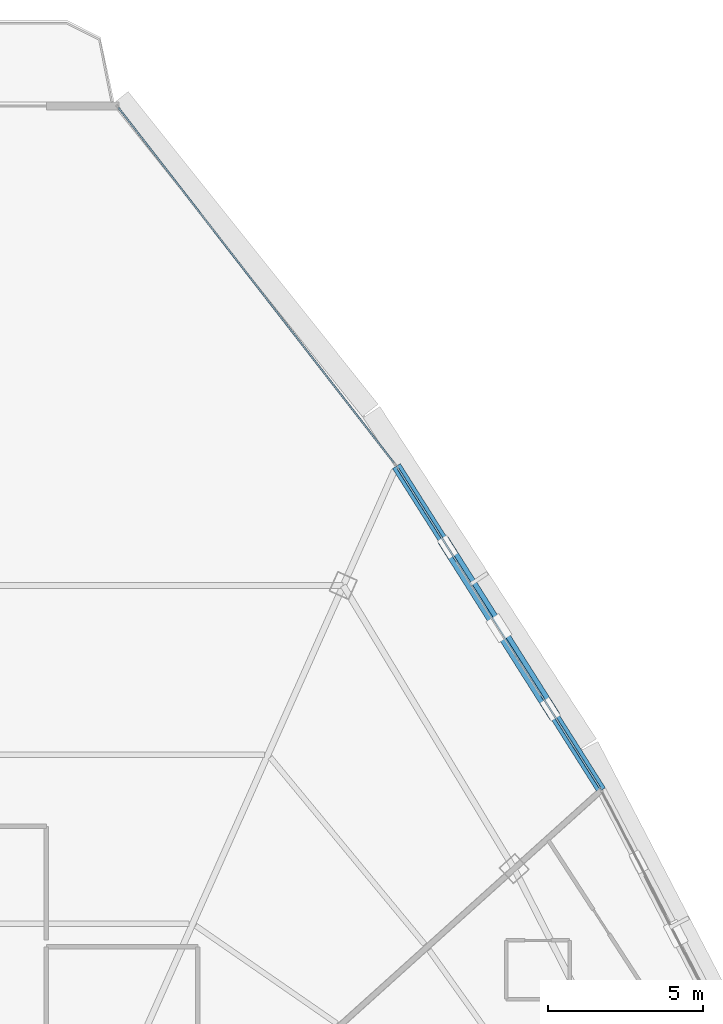
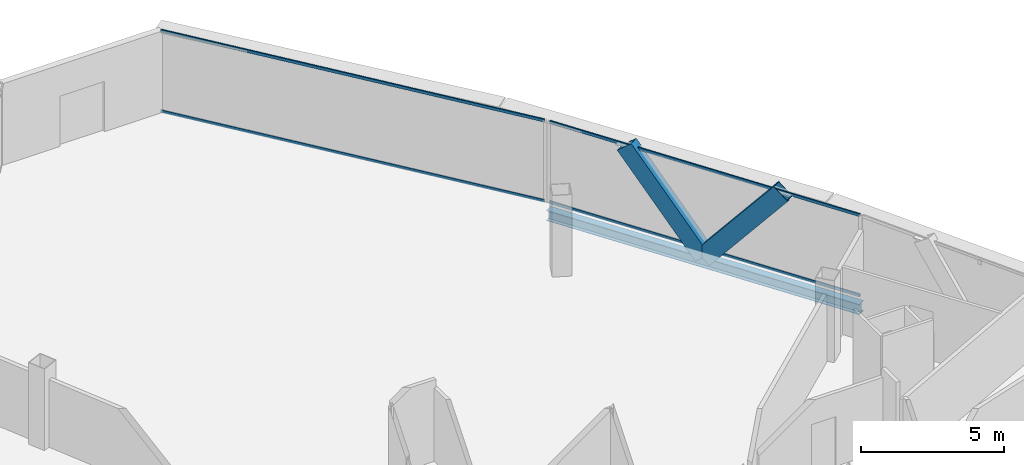
# One storey, part 23 of 33: 6 members, 1 beam, 2 elements without a shape of their own.
"""IFC4 building model written with IfcOpenShell, lengths in metres."""

from ifc_helpers import new_model, si_unit, direction, frame, origin, origin_2d, place, context, subcontext, project, spatial, hollow_rectangle, i_section, extrude, source, transform, mapped, material, layer, layer_set, material_profile, profile_set, type_object, element, aggregate, save


model = new_model("IFC4")

# Units and contexts
model_context = context("Model", 3, precision=1e-05, world=origin(), true_north=direction((0.0, 1.0)))
body_context = subcontext(model_context, "Body", "Model", "MODEL_VIEW")
ifc_project = project(units=[si_unit("LENGTHUNIT", "METRE"), si_unit("AREAUNIT", "SQUARE_METRE"), si_unit("VOLUMEUNIT", "CUBIC_METRE"), si_unit("PLANEANGLEUNIT", "RADIAN"), si_unit("MASSUNIT", "GRAM", prefix="KILO"), si_unit("THERMODYNAMICTEMPERATUREUNIT", "KELVIN"), si_unit("POWERUNIT", "WATT")], contexts=[model_context])

# Site, building, storey
site_placement = place(None, origin())
site = spatial("IfcSite", under=ifc_project, at=site_placement, CompositionType="ELEMENT")
building_placement = place(site_placement, origin())
building = spatial("IfcBuilding", under=site, at=building_placement, Name="Yunzhuo Pagoda Commons", CompositionType="ELEMENT")
storey_placement = place(building_placement, frame((0.0, 0.0, 329.260009765625)))
storey = spatial("IfcBuildingStorey", under=building, at=storey_placement, Name="L82", CompositionType="ELEMENT", Elevation=329.260009765625)

# Beam
ifc_material_1 = material(Name="Structural steel Q355B", Category="steel")
ifc_material_profile_1 = material_profile(ifc_material_1, i_section(OverallWidth=0.300048828125, OverallDepth=0.43994140625, WebThickness=0.010986328125, FlangeThickness=0.01806640625, at=origin_2d()), Name="Structural steel Q355B")
ifc_profile_set_1 = profile_set([ifc_material_profile_1], Name="Structural steel Q355B")
beam_type = type_object("IfcBeamType", Name="B-SP2 Beam HM 440x300x11x18", PredefinedType="BEAM", material=ifc_profile_set_1)
shared_shape_1 = source(origin(), body_context, "Body", "SweptSolid", [
    extrude(i_section(OverallWidth=0.300048828125, OverallDepth=0.43994140625, WebThickness=0.010986328125, FlangeThickness=0.01806640625, at=origin_2d()), origin(), (0.0, 0.0, 1.0), 12.39501953125),
])
beam_placement = place(storey_placement, frame((66.84375, 50.6669921875, -0.47998046875), z_axis=(-0.534530897575, 0.845148933347, 0.0), x_axis=(-0.845148933347, -0.534530897575, 0.0)))
element("IfcBeam", 1, at=beam_placement, inside=storey, type_object=beam_type, Name="L82 facade edge spandrel beam F2.3", PredefinedType="BEAM", context=body_context, shape_type="MappedRepresentation", body=[
    mapped(shared_shape_1, transform((0.0, 0.0, 0.0), scale=1.0)),
])

# Members
ifc_material_profile_2 = material_profile(ifc_material_1, hollow_rectangle(XDim=0.3798828125, YDim=0.719970703125, WallThickness=0.02001953125, at=origin_2d()), Name="Structural steel Q355B")
ifc_profile_set_2 = profile_set([ifc_material_profile_2], Name="Structural steel Q355B")
member_type_1 = type_object("IfcMemberType", Name="M-DL3 Brace BOX 720x380x20", PredefinedType="BRACE", material=ifc_profile_set_2)
shared_shape_2 = source(origin(), body_context, "Body", "SweptSolid", [
    extrude(hollow_rectangle(XDim=0.3798828125, YDim=0.719970703125, WallThickness=0.02001953125, at=origin_2d()), origin(), (0.0, 0.0, 1.0), 4.864501953125),
])
member_1_placement = place(storey_placement, frame((63.531005859375, 55.90478515625, -0.260009765625), z_axis=(0.340470287442, -0.538358604568, 0.77087612251), x_axis=(0.845166729607, 0.534502758801, 0.0)))
element("IfcMember", 2, at=member_1_placement, inside=storey, type_object=member_type_1, Name="L82 facade diamond brace F2.3L", PredefinedType="BRACE", context=body_context, shape_type="MappedRepresentation", body=[
    mapped(shared_shape_2, transform((0.0, 0.0, 0.0), scale=1.0)),
])
shared_shape_3 = source(origin(), body_context, "Body", "SweptSolid", [
    extrude(hollow_rectangle(XDim=0.3798828125, YDim=0.719970703125, WallThickness=0.02001953125, at=origin_2d()), origin(), (0.0, 0.0, 1.0), 4.86474609375),
])
member_2_placement = place(storey_placement, frame((63.531005859375, 55.90478515625, -0.260009765625), z_axis=(-0.340514655846, 0.538349405049, 0.770862949711), x_axis=(-0.845131136899, -0.534559034573, 0.0)))
element("IfcMember", 3, at=member_2_placement, inside=storey, type_object=member_type_1, Name="L82 facade diamond brace F2.3R", PredefinedType="BRACE", context=body_context, shape_type="MappedRepresentation", body=[
    mapped(shared_shape_3, transform((0.0, 0.0, 0.0), scale=1.0)),
])

# Curtain wall, members
ifc_material_2 = material(Name="Anodized aluminium 6063-T6", Category="aluminium")
ifc_layer = layer(ifc_material_2, 0.139892578125)
ifc_layer_set = layer_set([ifc_layer], Name="Anodized aluminium 6063-T6")
curtain_wall_type = type_object("IfcCurtainWallType", Name="CW-HI High-Zone Ribbon Curtain Wall", PredefinedType="NOTDEFINED", material=ifc_layer_set)
curtain_wall_1_placement = place(storey_placement, origin())
curtain_wall_1 = element("IfcCurtainWall", 4, at=curtain_wall_1_placement, inside=storey, type_object=curtain_wall_type, Name="L82 curtain wall CW-L82-F2B4", PredefinedType="NOTDEFINED")
ifc_material_profile_3 = material_profile(ifc_material_2, hollow_rectangle(XDim=0.054931640625, YDim=0.1201171875, WallThickness=0.00341796875, at=origin_2d()), Name="Anodized aluminium 6063-T6")
ifc_profile_set_3 = profile_set([ifc_material_profile_3], Name="Anodized aluminium 6063-T6")
member_type_2 = type_object("IfcMemberType", Name="CW-HI-T Transom RHS 120x55x3.5", PredefinedType="USERDEFINED", material=ifc_profile_set_3)
shared_shape_4 = source(origin(), body_context, "Body", "SweptSolid", [
    extrude(hollow_rectangle(XDim=0.054931640625, YDim=0.1201171875, WallThickness=0.00341796875, at=origin_2d()), origin(), (0.0, 0.0, 1.0), 12.27490234375),
])
member_3_placement = place(storey_placement, frame((66.8115234375, 50.7177734375, 0.027587890625), z_axis=(-0.53453242194, 0.845147969231, 0.0), x_axis=(-0.845147969231, -0.53453242194, 0.0)))
member_3 = element("IfcMember", 5, at=member_3_placement, type_object=member_type_2, Name="CW transom 1.1", ObjectType="TRANSOM", PredefinedType="USERDEFINED", context=body_context, shape_type="MappedRepresentation", body=[
    mapped(shared_shape_4, transform((0.0, 0.0, 0.0), scale=1.0)),
])
member_4_placement = place(storey_placement, frame((66.8115234375, 50.7177734375, 3.46240234375), z_axis=(-0.53453242194, 0.845147969231, 0.0), x_axis=(-0.845147969231, -0.53453242194, 0.0)))
member_4 = element("IfcMember", 6, at=member_4_placement, type_object=member_type_2, Name="CW transom 1.2", ObjectType="TRANSOM", PredefinedType="USERDEFINED", context=body_context, shape_type="MappedRepresentation", body=[
    mapped(shared_shape_4, transform((0.0, 0.0, 0.0), scale=1.0)),
])
aggregate(curtain_wall_1, [member_3, member_4])

curtain_wall_2_placement = place(storey_placement, origin())
curtain_wall_2 = element("IfcCurtainWall", 7, at=curtain_wall_2_placement, inside=storey, type_object=curtain_wall_type, Name="L82 curtain wall CW-L82-F2B5", PredefinedType="NOTDEFINED")
shared_shape_5 = source(origin(), body_context, "Body", "SweptSolid", [
    extrude(hollow_rectangle(XDim=0.054931640625, YDim=0.1201171875, WallThickness=0.00341796875, at=origin_2d()), origin(), (0.0, 0.0, 1.0), 14.537353515625),
])
member_5_placement = place(storey_placement, frame((60.135498046875, 61.249267578125, 0.027587890625), z_axis=(-0.612918112301, 0.790146434285, 0.0), x_axis=(-0.790146434285, -0.612918112301, 0.0)))
member_5 = element("IfcMember", 8, at=member_5_placement, type_object=member_type_2, Name="CW transom 1.1", ObjectType="TRANSOM", PredefinedType="USERDEFINED", context=body_context, shape_type="MappedRepresentation", body=[
    mapped(shared_shape_5, transform((0.0, 0.0, 0.0), scale=1.0)),
])
member_6_placement = place(storey_placement, frame((60.135498046875, 61.249267578125, 3.46240234375), z_axis=(-0.612918112301, 0.790146434285, 0.0), x_axis=(-0.790146434285, -0.612918112301, 0.0)))
member_6 = element("IfcMember", 9, at=member_6_placement, type_object=member_type_2, Name="CW transom 1.2", ObjectType="TRANSOM", PredefinedType="USERDEFINED", context=body_context, shape_type="MappedRepresentation", body=[
    mapped(shared_shape_5, transform((0.0, 0.0, 0.0), scale=1.0)),
])
aggregate(curtain_wall_2, [member_5, member_6])

save(model, "model.ifc")
